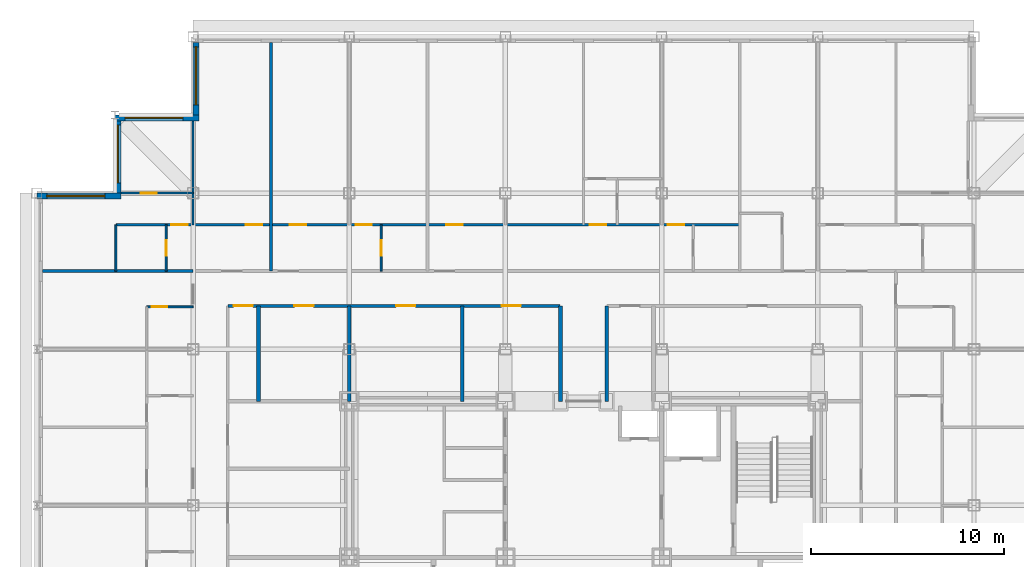
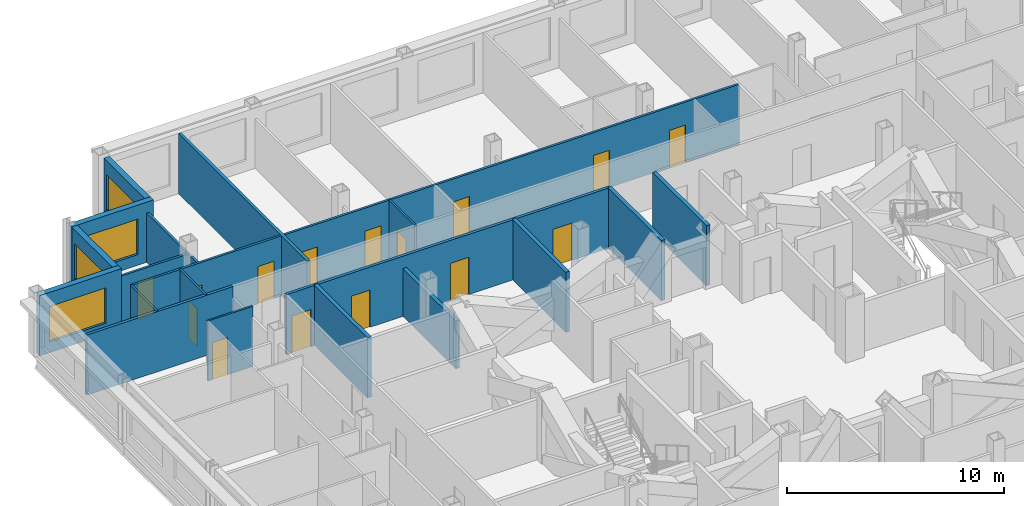
# One storey, part 9 of 12: 19 walls, 15 doors, 4 windows, 19 openings.
"""IFC4 building model written with IfcOpenShell, lengths in metres."""

from ifc_helpers import new_model, si_unit, direction, frame, frame_2d, origin, place, context, subcontext, project, spatial, rectangle, extrude, material, layer, layer_set, type_object, element, fill, save


model = new_model("IFC4")

# Units and contexts
model_context = context("Model", 3, precision=1e-05, world=origin(), true_north=direction((0.0, 1.0)))
body_context = subcontext(model_context, "Body", "Model", "MODEL_VIEW")
ifc_project = project(units=[si_unit("LENGTHUNIT", "METRE"), si_unit("AREAUNIT", "SQUARE_METRE"), si_unit("VOLUMEUNIT", "CUBIC_METRE"), si_unit("PLANEANGLEUNIT", "RADIAN"), si_unit("MASSUNIT", "GRAM", prefix="KILO")], contexts=[model_context])

# Site, building, storey
site_placement = place(None, origin())
site = spatial("IfcSite", under=ifc_project, at=site_placement, CompositionType="ELEMENT")
building_placement = place(site_placement, origin())
building = spatial("IfcBuilding", under=site, at=building_placement, Name="Kopane Lantern Tower", CompositionType="ELEMENT")
storey_placement = place(building_placement, frame((0.0, 0.0, 202.800048828125)))
storey = spatial("IfcBuildingStorey", under=building, at=storey_placement, Name="L52", CompositionType="ELEMENT", Elevation=202.800048828125)

# Wall, openings, doors
ifc_material_1 = material(Name="Gypsum board on steel studs", Category="steel")
ifc_layer_1 = layer(ifc_material_1, 0.1201171875)
ifc_layer_set_1 = layer_set([ifc_layer_1], Name="APARTMENT INTERNAL WALL 120")
wall_type_1 = type_object("IfcWallType", Name="APARTMENT INTERNAL WALL 120", PredefinedType="PARTITIONING", material=ifc_layer_set_1)
wall_1_placement = place(storey_placement, frame((4.10009765625, 49.64990234375, 0.0), z_axis=(0.0, 0.0, 1.0), x_axis=(1.0, 0.0, 0.0)))
wall_1 = element("IfcWall", 1, at=wall_1_placement, inside=storey, type_object=wall_type_1, Name="Apartment Internal Wall 120 L52", PredefinedType="PARTITIONING", context=body_context, shape_type="SweptSolid", body=[
    extrude(rectangle(XDim=32.349853515625, YDim=0.1201171875, at=frame_2d((16.1748046875, 0.0))), origin(), (0.0, 0.0, 1.0), 3.389892578125),
])
opening_1_placement = place(wall_1_placement, frame((9.02490234375, 0.0, 0.0)))
opening_1 = element("IfcOpeningElement", 2, at=opening_1_placement, cuts=wall_1, Name="Opening L52-031", PredefinedType="OPENING", context=body_context, shape_type="SweptSolid", body=[
    extrude(rectangle(XDim=0.85009765625, YDim=2.10009765625, at=frame_2d((0.425048828125, 1.050048828125))), frame((0.0, 0.070068359375, 0.0), z_axis=(0.0, -1.0, 0.0), x_axis=(1.0, 0.0, 0.0)), (0.0, 0.0, 1.0), 0.14013671875),
])
opening_2_placement = place(wall_1_placement, frame((12.425048828125, 0.0, 0.0)))
opening_2 = element("IfcOpeningElement", 3, at=opening_2_placement, cuts=wall_1, Name="Opening L52-032", PredefinedType="OPENING", context=body_context, shape_type="SweptSolid", body=[
    extrude(rectangle(XDim=0.85009765625, YDim=2.10009765625, at=frame_2d((0.425048828125, 1.050048828125))), frame((0.0, 0.070068359375, 0.0), z_axis=(0.0, -1.0, 0.0), x_axis=(1.0, 0.0, 0.0)), (0.0, 0.0, 1.0), 0.14013671875),
])
opening_3_placement = place(wall_1_placement, frame((17.125, 0.0, 0.0)))
opening_3 = element("IfcOpeningElement", 4, at=opening_3_placement, cuts=wall_1, Name="Opening L52-035", PredefinedType="OPENING", context=body_context, shape_type="SweptSolid", body=[
    extrude(rectangle(XDim=0.85009765625, YDim=2.10009765625, at=frame_2d((0.425048828125, 1.050048828125))), frame((0.0, 0.070068359375, 0.0), z_axis=(0.0, -1.0, 0.0), x_axis=(1.0, 0.0, 0.0)), (0.0, 0.0, 1.0), 0.14013671875),
])
opening_4_placement = place(wall_1_placement, frame((24.574951171875, 0.0, 0.0)))
opening_4 = element("IfcOpeningElement", 5, at=opening_4_placement, cuts=wall_1, Name="Opening L52-037", PredefinedType="OPENING", context=body_context, shape_type="SweptSolid", body=[
    extrude(rectangle(XDim=0.85009765625, YDim=2.10009765625, at=frame_2d((0.425048828125, 1.050048828125))), frame((0.0, 0.070068359375, 0.0), z_axis=(0.0, -1.0, 0.0), x_axis=(1.0, 0.0, 0.0)), (0.0, 0.0, 1.0), 0.14013671875),
])
opening_5_placement = place(wall_1_placement, frame((28.625, 0.0, 0.0)))
opening_5 = element("IfcOpeningElement", 6, at=opening_5_placement, cuts=wall_1, Name="Opening L52-038", PredefinedType="OPENING", context=body_context, shape_type="SweptSolid", body=[
    extrude(rectangle(XDim=0.85009765625, YDim=2.10009765625, at=frame_2d((0.425048828125, 1.050048828125))), frame((0.0, 0.070068359375, 0.0), z_axis=(0.0, -1.0, 0.0), x_axis=(1.0, 0.0, 0.0)), (0.0, 0.0, 1.0), 0.14013671875),
])
opening_6_placement = place(wall_1_placement, frame((6.72509765625, 0.0, 0.0)))
opening_6 = element("IfcOpeningElement", 7, at=opening_6_placement, cuts=wall_1, Name="Opening L52-076", PredefinedType="OPENING", context=body_context, shape_type="SweptSolid", body=[
    extrude(rectangle(XDim=0.85009765625, YDim=2.10009765625, at=frame_2d((0.425048828125, 1.050048828125))), frame((0.0, 0.070068359375, 0.0), z_axis=(0.0, -1.0, 0.0), x_axis=(1.0, 0.0, 0.0)), (0.0, 0.0, 1.0), 0.14013671875),
])
opening_7_placement = place(wall_1_placement, frame((2.875, 0.0, 0.0)))
opening_7 = element("IfcOpeningElement", 8, at=opening_7_placement, cuts=wall_1, Name="Opening L52-078", PredefinedType="OPENING", context=body_context, shape_type="SweptSolid", body=[
    extrude(rectangle(XDim=0.85009765625, YDim=2.10009765625, at=frame_2d((0.425048828125, 1.050048828125))), frame((0.0, 0.070068359375, 0.0), z_axis=(0.0, -1.0, 0.0), x_axis=(1.0, 0.0, 0.0)), (0.0, 0.0, 1.0), 0.14013671875),
])
ifc_material_2 = material(Name="Timber door set", Category="wood")
door_type_1 = type_object("IfcDoorType", Name="DOOR D4 850x2100", OperationType="SINGLE_SWING_LEFT", PredefinedType="DOOR", material=ifc_material_2)
door_1_placement = place(opening_1_placement, origin())
door_1 = element("IfcDoor", 9, at=door_1_placement, inside=storey, type_object=door_type_1, Name="Door L52-031", OperationType="SINGLE_SWING_RIGHT", OverallHeight=2.10009765625, OverallWidth=0.85009765625, PredefinedType="DOOR", context=body_context, shape_type="SweptSolid", body=[
    extrude(rectangle(XDim=0.85009765625, YDim=2.10009765625, at=frame_2d((0.425048828125, 1.050048828125))), frame((0.0, 0.02490234375, 0.0), z_axis=(0.0, -1.0, 0.0), x_axis=(1.0, 0.0, 0.0)), (0.0, 0.0, 1.0), 0.050048828125),
])
fill(opening_1, door_1)
door_2_placement = place(opening_2_placement, origin())
door_2 = element("IfcDoor", 10, at=door_2_placement, inside=storey, type_object=door_type_1, Name="Door L52-032", OperationType="SINGLE_SWING_LEFT", OverallHeight=2.10009765625, OverallWidth=0.85009765625, PredefinedType="DOOR", context=body_context, shape_type="SweptSolid", body=[
    extrude(rectangle(XDim=0.85009765625, YDim=2.10009765625, at=frame_2d((0.425048828125, 1.050048828125))), frame((0.0, 0.02490234375, 0.0), z_axis=(0.0, -1.0, 0.0), x_axis=(1.0, 0.0, 0.0)), (0.0, 0.0, 1.0), 0.050048828125),
])
fill(opening_2, door_2)
door_3_placement = place(opening_3_placement, origin())
door_3 = element("IfcDoor", 11, at=door_3_placement, inside=storey, type_object=door_type_1, Name="Door L52-035", OperationType="SINGLE_SWING_RIGHT", OverallHeight=2.10009765625, OverallWidth=0.85009765625, PredefinedType="DOOR", context=body_context, shape_type="SweptSolid", body=[
    extrude(rectangle(XDim=0.85009765625, YDim=2.10009765625, at=frame_2d((0.425048828125, 1.050048828125))), frame((0.0, 0.02490234375, 0.0), z_axis=(0.0, -1.0, 0.0), x_axis=(1.0, 0.0, 0.0)), (0.0, 0.0, 1.0), 0.050048828125),
])
fill(opening_3, door_3)
door_4_placement = place(opening_4_placement, origin())
door_4 = element("IfcDoor", 12, at=door_4_placement, inside=storey, type_object=door_type_1, Name="Door L52-037", OperationType="SINGLE_SWING_LEFT", OverallHeight=2.10009765625, OverallWidth=0.85009765625, PredefinedType="DOOR", context=body_context, shape_type="SweptSolid", body=[
    extrude(rectangle(XDim=0.85009765625, YDim=2.10009765625, at=frame_2d((0.425048828125, 1.050048828125))), frame((0.0, 0.02490234375, 0.0), z_axis=(0.0, -1.0, 0.0), x_axis=(1.0, 0.0, 0.0)), (0.0, 0.0, 1.0), 0.050048828125),
])
fill(opening_4, door_4)
door_5_placement = place(opening_5_placement, origin())
door_5 = element("IfcDoor", 13, at=door_5_placement, inside=storey, type_object=door_type_1, Name="Door L52-038", OperationType="SINGLE_SWING_LEFT", OverallHeight=2.10009765625, OverallWidth=0.85009765625, PredefinedType="DOOR", context=body_context, shape_type="SweptSolid", body=[
    extrude(rectangle(XDim=0.85009765625, YDim=2.10009765625, at=frame_2d((0.425048828125, 1.050048828125))), frame((0.0, 0.02490234375, 0.0), z_axis=(0.0, -1.0, 0.0), x_axis=(1.0, 0.0, 0.0)), (0.0, 0.0, 1.0), 0.050048828125),
])
fill(opening_5, door_5)
door_6_placement = place(opening_6_placement, origin())
door_6 = element("IfcDoor", 14, at=door_6_placement, inside=storey, type_object=door_type_1, Name="Door L52-076", OperationType="SINGLE_SWING_LEFT", OverallHeight=2.10009765625, OverallWidth=0.85009765625, PredefinedType="DOOR", context=body_context, shape_type="SweptSolid", body=[
    extrude(rectangle(XDim=0.85009765625, YDim=2.10009765625, at=frame_2d((0.425048828125, 1.050048828125))), frame((0.0, 0.02490234375, 0.0), z_axis=(0.0, -1.0, 0.0), x_axis=(1.0, 0.0, 0.0)), (0.0, 0.0, 1.0), 0.050048828125),
])
fill(opening_6, door_6)
door_7_placement = place(opening_7_placement, origin())
door_7 = element("IfcDoor", 15, at=door_7_placement, inside=storey, type_object=door_type_1, Name="Door L52-078", OperationType="SINGLE_SWING_RIGHT", OverallHeight=2.10009765625, OverallWidth=0.85009765625, PredefinedType="DOOR", context=body_context, shape_type="SweptSolid", body=[
    extrude(rectangle(XDim=0.85009765625, YDim=2.10009765625, at=frame_2d((0.425048828125, 1.050048828125))), frame((0.0, 0.02490234375, 0.0), z_axis=(0.0, -1.0, 0.0), x_axis=(1.0, 0.0, 0.0)), (0.0, 0.0, 1.0), 0.050048828125),
])
fill(opening_7, door_7)

# Wall
wall_2_placement = place(storey_placement, frame((8.10009765625, 49.64990234375, 0.0), z_axis=(0.0, 0.0, 1.0), x_axis=(0.0, 1.0, 0.0)))
element("IfcWall", 16, at=wall_2_placement, inside=storey, type_object=wall_type_1, Name="Apartment Internal Wall 120 L52", PredefinedType="PARTITIONING", context=body_context, shape_type="SweptSolid", body=[
    extrude(rectangle(XDim=5.400146484375, YDim=0.1201171875, at=frame_2d((2.7001953125, 0.0))), origin(), (0.0, 0.0, 1.0), 2.77783203125),
])

# Wall, opening, door
wall_3_placement = place(storey_placement, frame((8.10009765625, 51.300048828125, 0.0), z_axis=(0.0, 0.0, 1.0), x_axis=(-1.0, 0.0, 0.0)))
wall_3 = element("IfcWall", 17, at=wall_3_placement, inside=storey, type_object=wall_type_1, Name="Apartment Internal Wall 120 L52", PredefinedType="PARTITIONING", context=body_context, shape_type="SweptSolid", body=[
    extrude(rectangle(XDim=3.75, YDim=0.1201171875, at=frame_2d((1.875, 0.0))), origin(), (0.0, 0.0, 1.0), 2.77783203125),
])
opening_8_placement = place(wall_3_placement, frame((1.875, 0.0, 0.0)))
opening_8 = element("IfcOpeningElement", 18, at=opening_8_placement, cuts=wall_3, Name="Opening L52-079", PredefinedType="OPENING", context=body_context, shape_type="SweptSolid", body=[
    extrude(rectangle(XDim=0.85009765625, YDim=2.10009765625, at=frame_2d((0.425048828125, 1.050048828125))), frame((0.0, 0.070068359375, 0.0), z_axis=(0.0, -1.0, 0.0), x_axis=(1.0, 0.0, 0.0)), (0.0, 0.0, 1.0), 0.14013671875),
])
door_8_placement = place(opening_8_placement, origin())
door_8 = element("IfcDoor", 19, at=door_8_placement, inside=storey, type_object=door_type_1, Name="Door L52-079", OperationType="SINGLE_SWING_LEFT", OverallHeight=2.10009765625, OverallWidth=0.85009765625, PredefinedType="DOOR", context=body_context, shape_type="SweptSolid", body=[
    extrude(rectangle(XDim=0.85009765625, YDim=2.10009765625, at=frame_2d((0.425048828125, 1.050048828125))), frame((0.0, 0.02490234375, 0.0), z_axis=(0.0, -1.0, 0.0), x_axis=(1.0, 0.0, 0.0)), (0.0, 0.0, 1.0), 0.050048828125),
])
fill(opening_8, door_8)

ifc_material_3 = material(Name="Moisture-resistant board on steel studs", Category="steel")
ifc_layer_2 = layer(ifc_material_3, 0.10009765625)
ifc_layer_set_2 = layer_set([ifc_layer_2], Name="BATHROOM WALL 100")
wall_type_2 = type_object("IfcWallType", Name="BATHROOM WALL 100", PredefinedType="PARTITIONING", material=ifc_layer_set_2)
wall_4_placement = place(storey_placement, frame((17.85009765625, 47.25, 0.0), z_axis=(0.0, 0.0, 1.0), x_axis=(0.0, 1.0, 0.0)))
wall_4 = element("IfcWall", 20, at=wall_4_placement, inside=storey, type_object=wall_type_2, Name="Bathroom Wall 100 L52", PredefinedType="PARTITIONING", context=body_context, shape_type="SweptSolid", body=[
    extrude(rectangle(XDim=2.39990234375, YDim=0.10009765625, at=frame_2d((1.199951171875, 0.0))), origin(), (0.0, 0.0, 1.0), 3.389892578125),
])
opening_9_placement = place(wall_4_placement, frame((0.800048828125, 0.0, 0.0)))
opening_9 = element("IfcOpeningElement", 21, at=opening_9_placement, cuts=wall_4, Name="Opening L52-029", PredefinedType="OPENING", context=body_context, shape_type="SweptSolid", body=[
    extrude(rectangle(XDim=0.800048828125, YDim=2.10009765625, at=frame_2d((0.39990234375, 1.050048828125))), frame((0.0, 0.06005859375, 0.0), z_axis=(0.0, -1.0, 0.0), x_axis=(1.0, 0.0, 0.0)), (0.0, 0.0, 1.0), 0.1201171875),
])
ifc_material_4 = material(Name="Timber door set", Category="wood")
door_type_2 = type_object("IfcDoorType", Name="DOOR D2 800x2100", OperationType="SINGLE_SWING_LEFT", PredefinedType="DOOR", material=ifc_material_4)
door_9_placement = place(opening_9_placement, origin())
door_9 = element("IfcDoor", 22, at=door_9_placement, inside=storey, type_object=door_type_2, Name="Door L52-029", OperationType="SINGLE_SWING_RIGHT", OverallHeight=2.10009765625, OverallWidth=0.800048828125, PredefinedType="DOOR", context=body_context, shape_type="SweptSolid", body=[
    extrude(rectangle(XDim=0.800048828125, YDim=2.10009765625, at=frame_2d((0.39990234375, 1.050048828125))), frame((0.0, 0.02490234375, 0.0), z_axis=(0.0, -1.0, 0.0), x_axis=(1.0, 0.0, 0.0)), (0.0, 0.0, 1.0), 0.050048828125),
])
fill(opening_9, door_9)

wall_5_placement = place(storey_placement, frame((8.10009765625, 45.39990234375, 0.0), z_axis=(0.0, 0.0, 1.0), x_axis=(-1.0, 0.0, 0.0)))
wall_5 = element("IfcWall", 23, at=wall_5_placement, inside=storey, type_object=wall_type_2, Name="Bathroom Wall 100 L52", PredefinedType="PARTITIONING", context=body_context, shape_type="SweptSolid", body=[
    extrude(rectangle(XDim=2.400146484375, YDim=0.10009765625, at=frame_2d((1.2001953125, 0.0))), origin(), (0.0, 0.0, 1.0), 3.389892578125),
])
opening_10_placement = place(wall_5_placement, frame((1.35009765625, 0.0, 0.0)))
opening_10 = element("IfcOpeningElement", 24, at=opening_10_placement, cuts=wall_5, Name="Opening L52-051", PredefinedType="OPENING", context=body_context, shape_type="SweptSolid", body=[
    extrude(rectangle(XDim=0.800048828125, YDim=2.10009765625, at=frame_2d((0.39990234375, 1.050048828125))), frame((0.0, 0.06005859375, 0.0), z_axis=(0.0, -1.0, 0.0), x_axis=(1.0, 0.0, 0.0)), (0.0, 0.0, 1.0), 0.1201171875),
])
door_10_placement = place(opening_10_placement, origin())
door_10 = element("IfcDoor", 25, at=door_10_placement, inside=storey, type_object=door_type_2, Name="Door L52-051", OperationType="SINGLE_SWING_RIGHT", OverallHeight=2.10009765625, OverallWidth=0.800048828125, PredefinedType="DOOR", context=body_context, shape_type="SweptSolid", body=[
    extrude(rectangle(XDim=0.800048828125, YDim=2.10009765625, at=frame_2d((0.39990234375, 1.050048828125))), frame((0.0, 0.02490234375, 0.0), z_axis=(0.0, -1.0, 0.0), x_axis=(1.0, 0.0, 0.0)), (0.0, 0.0, 1.0), 0.050048828125),
])
fill(opening_10, door_10)

wall_6_placement = place(storey_placement, frame((6.699951171875, 47.25, 0.0), z_axis=(0.0, 0.0, 1.0), x_axis=(0.0, 1.0, 0.0)))
wall_6 = element("IfcWall", 26, at=wall_6_placement, inside=storey, type_object=wall_type_2, Name="Bathroom Wall 100 L52", PredefinedType="PARTITIONING", context=body_context, shape_type="SweptSolid", body=[
    extrude(rectangle(XDim=2.39990234375, YDim=0.10009765625, at=frame_2d((1.199951171875, 0.0))), origin(), (0.0, 0.0, 1.0), 3.389892578125),
])
opening_11_placement = place(wall_6_placement, frame((0.800048828125, 0.0, 0.0)))
opening_11 = element("IfcOpeningElement", 27, at=opening_11_placement, cuts=wall_6, Name="Opening L52-077", PredefinedType="OPENING", context=body_context, shape_type="SweptSolid", body=[
    extrude(rectangle(XDim=0.800048828125, YDim=2.10009765625, at=frame_2d((0.39990234375, 1.050048828125))), frame((0.0, 0.06005859375, 0.0), z_axis=(0.0, -1.0, 0.0), x_axis=(1.0, 0.0, 0.0)), (0.0, 0.0, 1.0), 0.1201171875),
])
door_11_placement = place(opening_11_placement, origin())
door_11 = element("IfcDoor", 28, at=door_11_placement, inside=storey, type_object=door_type_2, Name="Door L52-077", OperationType="SINGLE_SWING_LEFT", OverallHeight=2.10009765625, OverallWidth=0.800048828125, PredefinedType="DOOR", context=body_context, shape_type="SweptSolid", body=[
    extrude(rectangle(XDim=0.800048828125, YDim=2.10009765625, at=frame_2d((0.39990234375, 1.050048828125))), frame((0.0, 0.02490234375, 0.0), z_axis=(0.0, -1.0, 0.0), x_axis=(1.0, 0.0, 0.0)), (0.0, 0.0, 1.0), 0.050048828125),
])
fill(opening_11, door_11)

# Wall
wall_7_placement = place(storey_placement, frame((4.10009765625, 47.25, 0.0), z_axis=(0.0, 0.0, 1.0), x_axis=(0.0, 1.0, 0.0)))
element("IfcWall", 29, at=wall_7_placement, inside=storey, type_object=wall_type_2, Name="Bathroom Wall 100 L52", PredefinedType="PARTITIONING", context=body_context, shape_type="SweptSolid", body=[
    extrude(rectangle(XDim=2.39990234375, YDim=0.10009765625, at=frame_2d((1.199951171875, 0.0))), origin(), (0.0, 0.0, 1.0), 3.389892578125),
])

# Wall, openings, doors
ifc_material_5 = material(Name="Gypsum board on steel studs", Category="steel")
ifc_layer_3 = layer(ifc_material_5, 0.14990234375)
ifc_layer_set_3 = layer_set([ifc_layer_3], Name="CORRIDOR WALL 150 EI 60")
wall_type_3 = type_object("IfcWallType", Name="CORRIDOR WALL 150 EI 60", PredefinedType="PARTITIONING", material=ifc_layer_set_3)
wall_8_placement = place(storey_placement, frame((27.139892578125, 45.449951171875, 0.0), z_axis=(0.0, 0.0, 1.0), x_axis=(-1.0, 0.0, 0.0)))
wall_8 = element("IfcWall", 30, at=wall_8_placement, inside=storey, type_object=wall_type_3, Name="Corridor Wall 150 Ei 60 L52", PredefinedType="PARTITIONING", context=body_context, shape_type="SweptSolid", body=[
    extrude(rectangle(XDim=17.239990234375, YDim=0.14990234375, at=frame_2d((8.6201171875, 0.0))), origin(), (0.0, 0.0, 1.0), 3.389892578125),
])
opening_12_placement = place(wall_8_placement, frame((15.93994140625, 0.0, 0.0)))
opening_12 = element("IfcOpeningElement", 31, at=opening_12_placement, cuts=wall_8, Name="Opening L52-011", PredefinedType="OPENING", context=body_context, shape_type="SweptSolid", body=[
    extrude(rectangle(XDim=1.0, YDim=2.10009765625, at=frame_2d((0.5, 1.050048828125))), frame((0.0, 0.0849609375, 0.0), z_axis=(0.0, -1.0, 0.0), x_axis=(1.0, 0.0, 0.0)), (0.0, 0.0, 1.0), 0.169921875),
])
opening_13_placement = place(wall_8_placement, frame((12.7900390625, 0.0, 0.0)))
opening_13 = element("IfcOpeningElement", 32, at=opening_13_placement, cuts=wall_8, Name="Opening L52-012", PredefinedType="OPENING", context=body_context, shape_type="SweptSolid", body=[
    extrude(rectangle(XDim=1.0, YDim=2.10009765625, at=frame_2d((0.5, 1.050048828125))), frame((0.0, 0.0849609375, 0.0), z_axis=(0.0, -1.0, 0.0), x_axis=(1.0, 0.0, 0.0)), (0.0, 0.0, 1.0), 0.169921875),
])
opening_14_placement = place(wall_8_placement, frame((7.5107421875, 0.0, 0.0)))
opening_14 = element("IfcOpeningElement", 33, at=opening_14_placement, cuts=wall_8, Name="Opening L52-013", PredefinedType="OPENING", context=body_context, shape_type="SweptSolid", body=[
    extrude(rectangle(XDim=1.0, YDim=2.10009765625, at=frame_2d((0.5, 1.050048828125))), frame((0.0, 0.0849609375, 0.0), z_axis=(0.0, -1.0, 0.0), x_axis=(1.0, 0.0, 0.0)), (0.0, 0.0, 1.0), 0.169921875),
])
opening_15_placement = place(wall_8_placement, frame((2.03564453125, 0.0, 0.0)))
opening_15 = element("IfcOpeningElement", 34, at=opening_15_placement, cuts=wall_8, Name="Opening L52-014", PredefinedType="OPENING", context=body_context, shape_type="SweptSolid", body=[
    extrude(rectangle(XDim=1.0, YDim=2.10009765625, at=frame_2d((0.5, 1.050048828125))), frame((0.0, 0.0849609375, 0.0), z_axis=(0.0, -1.0, 0.0), x_axis=(1.0, 0.0, 0.0)), (0.0, 0.0, 1.0), 0.169921875),
])
ifc_material_6 = material(Name="Steel door set", Category="steel")
door_type_3 = type_object("IfcDoorType", Name="DOOR D5 1000x2100 FD60", OperationType="SINGLE_SWING_LEFT", PredefinedType="DOOR", material=ifc_material_6)
door_12_placement = place(opening_12_placement, origin())
door_12 = element("IfcDoor", 35, at=door_12_placement, inside=storey, type_object=door_type_3, Name="Door L52-011", OperationType="SINGLE_SWING_RIGHT", OverallHeight=2.10009765625, OverallWidth=1.0, PredefinedType="DOOR", context=body_context, shape_type="SweptSolid", body=[
    extrude(rectangle(XDim=1.0, YDim=2.10009765625, at=frame_2d((0.5, 1.050048828125))), frame((0.0, 0.02490234375, 0.0), z_axis=(0.0, -1.0, 0.0), x_axis=(1.0, 0.0, 0.0)), (0.0, 0.0, 1.0), 0.050048828125),
])
fill(opening_12, door_12)
door_13_placement = place(opening_13_placement, origin())
door_13 = element("IfcDoor", 36, at=door_13_placement, inside=storey, type_object=door_type_3, Name="Door L52-012", OperationType="SINGLE_SWING_LEFT", OverallHeight=2.10009765625, OverallWidth=1.0, PredefinedType="DOOR", context=body_context, shape_type="SweptSolid", body=[
    extrude(rectangle(XDim=1.0, YDim=2.10009765625, at=frame_2d((0.5, 1.050048828125))), frame((0.0, 0.02490234375, 0.0), z_axis=(0.0, -1.0, 0.0), x_axis=(1.0, 0.0, 0.0)), (0.0, 0.0, 1.0), 0.050048828125),
])
fill(opening_13, door_13)
door_14_placement = place(opening_14_placement, origin())
door_14 = element("IfcDoor", 37, at=door_14_placement, inside=storey, type_object=door_type_3, Name="Door L52-013", OperationType="SINGLE_SWING_RIGHT", OverallHeight=2.10009765625, OverallWidth=1.0, PredefinedType="DOOR", context=body_context, shape_type="SweptSolid", body=[
    extrude(rectangle(XDim=1.0, YDim=2.10009765625, at=frame_2d((0.5, 1.050048828125))), frame((0.0, 0.02490234375, 0.0), z_axis=(0.0, -1.0, 0.0), x_axis=(1.0, 0.0, 0.0)), (0.0, 0.0, 1.0), 0.050048828125),
])
fill(opening_14, door_14)
door_15_placement = place(opening_15_placement, origin())
door_15 = element("IfcDoor", 38, at=door_15_placement, inside=storey, type_object=door_type_3, Name="Door L52-014", OperationType="SINGLE_SWING_LEFT", OverallHeight=2.10009765625, OverallWidth=1.0, PredefinedType="DOOR", context=body_context, shape_type="SweptSolid", body=[
    extrude(rectangle(XDim=1.0, YDim=2.10009765625, at=frame_2d((0.5, 1.050048828125))), frame((0.0, 0.02490234375, 0.0), z_axis=(0.0, -1.0, 0.0), x_axis=(1.0, 0.0, 0.0)), (0.0, 0.0, 1.0), 0.050048828125),
])
fill(opening_15, door_15)

# Walls
ifc_material_7 = material(Name="Gypsum board on steel studs", Category="steel")
ifc_layer_4 = layer(ifc_material_7, 0.14990234375)
ifc_layer_set_4 = layer_set([ifc_layer_4], Name="DEMISING WALL 150 EI 60")
wall_type_4 = type_object("IfcWallType", Name="DEMISING WALL 150 EI 60", PredefinedType="PARTITIONING", material=ifc_layer_set_4)
wall_9_placement = place(storey_placement, frame((0.300048828125, 47.25, 0.0), z_axis=(0.0, 0.0, 1.0), x_axis=(1.0, 0.0, 0.0)))
element("IfcWall", 39, at=wall_9_placement, inside=storey, type_object=wall_type_4, Name="Demising Wall 150 Ei 60 L52", PredefinedType="PARTITIONING", context=body_context, shape_type="SweptSolid", body=[
    extrude(rectangle(XDim=7.800048828125, YDim=0.14990234375, at=frame_2d((3.89990234375, 0.0))), origin(), (0.0, 0.0, 1.0), 3.389892578125),
])
wall_10_placement = place(storey_placement, frame((12.14990234375, 47.25, 0.0), z_axis=(0.0, 0.0, 1.0), x_axis=(0.0, 1.0, 0.0)))
element("IfcWall", 40, at=wall_10_placement, inside=storey, type_object=wall_type_4, Name="Demising Wall 150 Ei 60 L52", PredefinedType="PARTITIONING", context=body_context, shape_type="SweptSolid", body=[
    extrude(rectangle(XDim=11.85009765625, YDim=0.14990234375, at=frame_2d((5.925048828125, 0.0))), origin(), (0.0, 0.0, 1.0), 3.389892578125),
])

# Wall, opening, window
ifc_material_8 = material(Name="Terracotta rainscreen on light steel framing", Category="masonry")
ifc_layer_5 = layer(ifc_material_8, 0.300048828125)
ifc_layer_set_5 = layer_set([ifc_layer_5], Name="EXTERNAL WALL EW1 300 TERRACOTTA")
wall_type_5 = type_object("IfcWallType", Name="EXTERNAL WALL EW1 300 TERRACOTTA", PredefinedType="SOLIDWALL", material=ifc_layer_set_5)
wall_11_placement = place(storey_placement, frame((8.25, 59.10009765625, 0.0), z_axis=(0.0, 0.0, 1.0), x_axis=(0.0, -1.0, 0.0)))
wall_11 = element("IfcWall", 41, at=wall_11_placement, inside=storey, type_object=wall_type_5, Name="External wall W L52", PredefinedType="SOLIDWALL", context=body_context, shape_type="SweptSolid", body=[
    extrude(rectangle(XDim=3.75, YDim=0.300048828125, at=frame_2d((1.875, 0.0))), origin(), (0.0, 0.0, 1.0), 3.389892578125),
])
opening_16_placement = place(wall_11_placement, frame((0.22509765625, 0.0, 0.60009765625)))
opening_16 = element("IfcOpeningElement", 42, at=opening_16_placement, cuts=wall_11, Name="Opening WR300200", PredefinedType="OPENING", context=body_context, shape_type="SweptSolid", body=[
    extrude(rectangle(XDim=3.0, YDim=2.0, at=frame_2d((1.5, 1.0))), frame((0.0, 0.159912109375, 0.0), z_axis=(0.0, -1.0, 0.0), x_axis=(1.0, 0.0, 0.0)), (0.0, 0.0, 1.0), 0.320068359375),
])
ifc_material_9 = material(Name="Aluminium and clear glass", Category="aluminium")
window_type = type_object("IfcWindowType", Name="RIBBON WINDOW WR300200 3000x2000", PartitioningType="SINGLE_PANEL", PredefinedType="WINDOW", material=ifc_material_9)
window_1_placement = place(opening_16_placement, origin())
window_1 = element("IfcWindow", 43, at=window_1_placement, inside=storey, type_object=window_type, Name="Window W L52", OverallHeight=2.0, OverallWidth=3.0, PartitioningType="SINGLE_PANEL", PredefinedType="WINDOW", context=body_context, shape_type="SweptSolid", body=[
    extrude(rectangle(XDim=3.0, YDim=2.0, at=frame_2d((1.5, 1.0))), frame((0.0, 0.030029296875, 0.0), z_axis=(0.0, -1.0, 0.0), x_axis=(1.0, 0.0, 0.0)), (0.0, 0.0, 1.0), 0.06005859375),
])
fill(opening_16, window_1)

wall_12_placement = place(storey_placement, frame((8.39990234375, 55.199951171875, 0.0), z_axis=(0.0, 0.0, 1.0), x_axis=(-1.0, 0.0, 0.0)))
wall_12 = element("IfcWall", 44, at=wall_12_placement, inside=storey, type_object=wall_type_5, Name="External wall N L52", PredefinedType="SOLIDWALL", context=body_context, shape_type="SweptSolid", body=[
    extrude(rectangle(XDim=4.349853515625, YDim=0.300048828125, at=frame_2d((2.1748046875, 0.0))), origin(), (0.0, 0.0, 1.0), 3.389892578125),
])
opening_17_placement = place(wall_12_placement, frame((0.824951171875, 0.0, 0.60009765625)))
opening_17 = element("IfcOpeningElement", 45, at=opening_17_placement, cuts=wall_12, Name="Opening WR300200", PredefinedType="OPENING", context=body_context, shape_type="SweptSolid", body=[
    extrude(rectangle(XDim=3.0, YDim=2.0, at=frame_2d((1.5, 1.0))), frame((0.0, 0.159912109375, 0.0), z_axis=(0.0, -1.0, 0.0), x_axis=(1.0, 0.0, 0.0)), (0.0, 0.0, 1.0), 0.320068359375),
])
window_2_placement = place(opening_17_placement, origin())
window_2 = element("IfcWindow", 46, at=window_2_placement, inside=storey, type_object=window_type, Name="Window N L52", OverallHeight=2.0, OverallWidth=3.0, PartitioningType="SINGLE_PANEL", PredefinedType="WINDOW", context=body_context, shape_type="SweptSolid", body=[
    extrude(rectangle(XDim=3.0, YDim=2.0, at=frame_2d((1.5, 1.0))), frame((0.0, 0.030029296875, 0.0), z_axis=(0.0, -1.0, 0.0), x_axis=(1.0, 0.0, 0.0)), (0.0, 0.0, 1.0), 0.06005859375),
])
fill(opening_17, window_2)

wall_13_placement = place(storey_placement, frame((4.199951171875, 55.050048828125, 0.0), z_axis=(0.0, 0.0, 1.0), x_axis=(0.0, -1.0, 0.0)))
wall_13 = element("IfcWall", 47, at=wall_13_placement, inside=storey, type_object=wall_type_5, Name="External wall W L52", PredefinedType="SOLIDWALL", context=body_context, shape_type="SweptSolid", body=[
    extrude(rectangle(XDim=3.75, YDim=0.300048828125, at=frame_2d((1.875, 0.0))), origin(), (0.0, 0.0, 1.0), 3.389892578125),
])
opening_18_placement = place(wall_13_placement, frame((0.22509765625, 0.0, 0.60009765625)))
opening_18 = element("IfcOpeningElement", 48, at=opening_18_placement, cuts=wall_13, Name="Opening WR300200", PredefinedType="OPENING", context=body_context, shape_type="SweptSolid", body=[
    extrude(rectangle(XDim=3.0, YDim=2.0, at=frame_2d((1.5, 1.0))), frame((0.0, 0.159912109375, 0.0), z_axis=(0.0, -1.0, 0.0), x_axis=(1.0, 0.0, 0.0)), (0.0, 0.0, 1.0), 0.320068359375),
])
window_3_placement = place(opening_18_placement, origin())
window_3 = element("IfcWindow", 49, at=window_3_placement, inside=storey, type_object=window_type, Name="Window W L52", OverallHeight=2.0, OverallWidth=3.0, PartitioningType="SINGLE_PANEL", PredefinedType="WINDOW", context=body_context, shape_type="SweptSolid", body=[
    extrude(rectangle(XDim=3.0, YDim=2.0, at=frame_2d((1.5, 1.0))), frame((0.0, 0.030029296875, 0.0), z_axis=(0.0, -1.0, 0.0), x_axis=(1.0, 0.0, 0.0)), (0.0, 0.0, 1.0), 0.06005859375),
])
fill(opening_18, window_3)

wall_14_placement = place(storey_placement, frame((4.35009765625, 51.14990234375, 0.0), z_axis=(0.0, 0.0, 1.0), x_axis=(-1.0, 0.0, 0.0)))
wall_14 = element("IfcWall", 50, at=wall_14_placement, inside=storey, type_object=wall_type_5, Name="External wall N L52", PredefinedType="SOLIDWALL", context=body_context, shape_type="SweptSolid", body=[
    extrude(rectangle(XDim=4.35009765625, YDim=0.300048828125, at=frame_2d((2.175048828125, 0.0))), origin(), (0.0, 0.0, 1.0), 3.389892578125),
])
opening_19_placement = place(wall_14_placement, frame((0.824951171875, 0.0, 0.60009765625)))
opening_19 = element("IfcOpeningElement", 51, at=opening_19_placement, cuts=wall_14, Name="Opening WR300200", PredefinedType="OPENING", context=body_context, shape_type="SweptSolid", body=[
    extrude(rectangle(XDim=3.0, YDim=2.0, at=frame_2d((1.5, 1.0))), frame((0.0, 0.159912109375, 0.0), z_axis=(0.0, -1.0, 0.0), x_axis=(1.0, 0.0, 0.0)), (0.0, 0.0, 1.0), 0.320068359375),
])
window_4_placement = place(opening_19_placement, origin())
window_4 = element("IfcWindow", 52, at=window_4_placement, inside=storey, type_object=window_type, Name="Window N L52", OverallHeight=2.0, OverallWidth=3.0, PartitioningType="SINGLE_PANEL", PredefinedType="WINDOW", context=body_context, shape_type="SweptSolid", body=[
    extrude(rectangle(XDim=3.0, YDim=2.0, at=frame_2d((1.5, 1.0))), frame((0.0, 0.030029296875, 0.0), z_axis=(0.0, -1.0, 0.0), x_axis=(1.0, 0.0, 0.0)), (0.0, 0.0, 1.0), 0.06005859375),
])
fill(opening_19, window_4)

# Walls
ifc_material_10 = material(Name="Concrete masonry", Category="masonry")
ifc_layer_6 = layer(ifc_material_10, 0.199951171875)
ifc_layer_set_6 = layer_set([ifc_layer_6], Name="PLANT ROOM WALL 200 EI 120")
wall_type_6 = type_object("IfcWallType", Name="PLANT ROOM WALL 200 EI 120", PredefinedType="SOLIDWALL", material=ifc_layer_set_6)
wall_15_placement = place(storey_placement, frame((16.199951171875, 40.5, 0.0), z_axis=(0.0, 0.0, 1.0), x_axis=(0.0, 1.0, 0.0)))
element("IfcWall", 53, at=wall_15_placement, inside=storey, type_object=wall_type_6, Name="Plant Room Wall 200 Ei 120 L52", PredefinedType="SOLIDWALL", context=body_context, shape_type="SweptSolid", body=[
    extrude(rectangle(XDim=4.949951171875, YDim=0.199951171875, at=frame_2d((2.47509765625, 0.0))), origin(), (0.0, 0.0, 1.0), 2.68994140625),
])
for number, where, z_axis, x_axis, name in (
    (54, (11.5, 45.449951171875, 0.0), (0.0, 0.0, 1.0), (0.0, -1.0, 0.0), "Plant Room Wall 200 Ei 120 L52"),
    (55, (22.05859375, 45.449951171875, 0.0), (0.0, 0.0, 1.0), (0.0, -1.0, 0.0), "Plant Room Wall 200 Ei 120 L52"),
    (56, (27.14990234375, 40.5, 0.0), (0.0, 0.0, 1.0), (0.0, 1.0, 0.0), "Plant Room Wall 200 Ei 120 L52"),
    (57, (29.550048828125, 40.5, 0.0), (0.0, 0.0, 1.0), (0.0, 1.0, 0.0), "Plant Room Wall 200 Ei 120 L52"),
):
    element("IfcWall", number, at=place(storey_placement, frame(where, z_axis=z_axis, x_axis=x_axis)), inside=storey, type_object=wall_type_6, Name=name, PredefinedType="SOLIDWALL", context=body_context, shape_type="SweptSolid", body=[
        extrude(rectangle(XDim=4.949951171875, YDim=0.199951171875, at=frame_2d((2.47509765625, 0.0))), origin(), (0.0, 0.0, 1.0), 3.389892578125),
    ])

save(model, "model.ifc")
